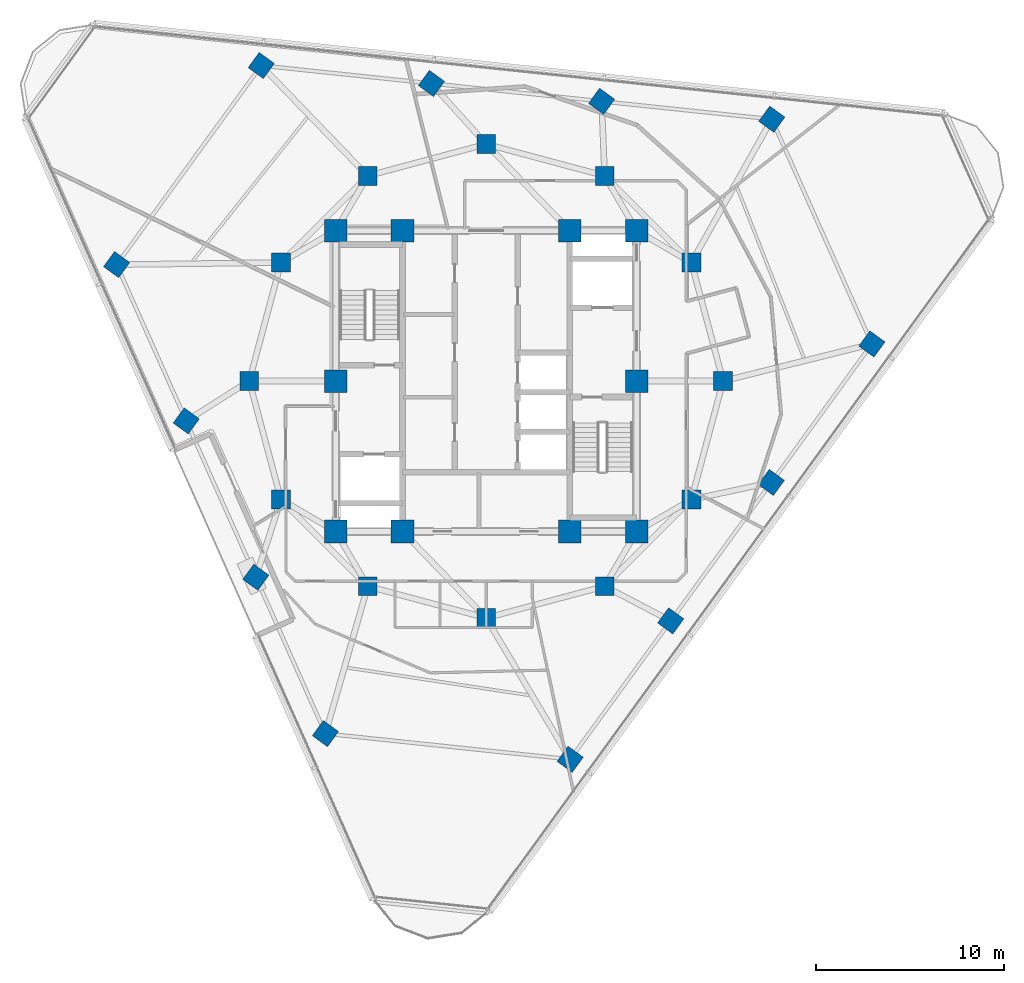
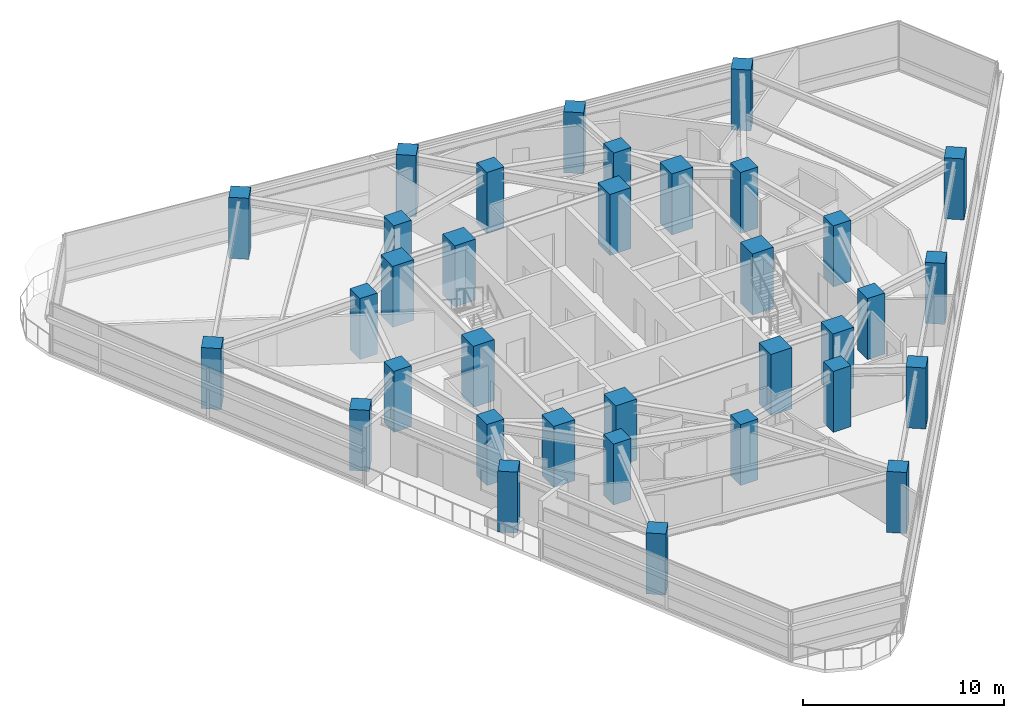
# One storey, part 1 of 14: 34 columns.
"""IFC4 building model written with IfcOpenShell, lengths in metres."""

from ifc_helpers import new_model, si_unit, direction, frame, origin, origin_2d, place, context, subcontext, project, spatial, rectangle, extrude, material, material_profile, profile_set, type_object, element, save


model = new_model("IFC4")

# Units and contexts
model_context = context("Model", 3, precision=1e-05, world=origin(), true_north=direction((0.0, 1.0)))
body_context = subcontext(model_context, "Body", "Model", "MODEL_VIEW")
ifc_project = project(units=[si_unit("LENGTHUNIT", "METRE"), si_unit("AREAUNIT", "SQUARE_METRE"), si_unit("VOLUMEUNIT", "CUBIC_METRE"), si_unit("PLANEANGLEUNIT", "RADIAN"), si_unit("MASSUNIT", "GRAM", prefix="KILO")], contexts=[model_context])

# Site, building, storey
site_placement = place(None, origin())
site = spatial("IfcSite", under=ifc_project, at=site_placement, CompositionType="ELEMENT")
building_placement = place(site_placement, origin())
building = spatial("IfcBuilding", under=site, at=building_placement, Name="Terralouvre Media Tower", CompositionType="ELEMENT")
storey_placement = place(building_placement, frame((0.0, 0.0, 226.300048828125)))
storey = spatial("IfcBuildingStorey", under=building, at=storey_placement, Name="L58", CompositionType="ELEMENT", Elevation=226.300048828125)

# Columns
ifc_material_1 = material(Name="Concrete C50/60", Category="concrete")
ifc_material_profile_1 = material_profile(ifc_material_1, rectangle(XDim=1.0, YDim=1.0, at=origin_2d()), Name="RC 1000x1000")
ifc_profile_set_1 = profile_set([ifc_material_profile_1], Name="Concrete C50/60")
column_type_1 = type_object("IfcColumnType", Name="Structural Column C-RC1000 (RC 1000x1000)", PredefinedType="COLUMN", material=ifc_profile_set_1)
for number, where, z_axis, x_axis, name in (
    (1, (12.60009765625, 0.0, 0.0), (0.0, 0.0, 1.0), (1.0, 0.0, 0.0), "L58 Mega-Frame Column MC01"),
    (2, (10.911865234375, 6.300048828125, 0.0), (0.0, 0.0, 1.0), (1.0, 0.0, 0.0), "L58 Mega-Frame Column MC02"),
    (3, (6.300048828125, 10.911865234375, 0.0), (0.0, 0.0, 1.0), (1.0, 0.0, 0.0), "L58 Mega-Frame Column MC03"),
    (4, (0.0, 12.60009765625, 0.0), (0.0, 0.0, 1.0), (1.0, 0.0, 0.0), "L58 Mega-Frame Column MC04"),
    (5, (-6.300048828125, 10.911865234375, 0.0), (0.0, 0.0, 1.0), (1.0, 0.0, 0.0), "L58 Mega-Frame Column MC05"),
    (6, (-10.911865234375, 6.300048828125, 0.0), (0.0, 0.0, 1.0), (1.0, 0.0, 0.0), "L58 Mega-Frame Column MC06"),
    (7, (-12.60009765625, 0.0, 0.0), (0.0, 0.0, 1.0), (1.0, 0.0, 0.0), "L58 Mega-Frame Column MC07"),
    (8, (-10.911865234375, -6.300048828125, 0.0), (0.0, 0.0, 1.0), (1.0, 0.0, 0.0), "L58 Mega-Frame Column MC08"),
    (9, (-6.300048828125, -10.911865234375, 0.0), (0.0, 0.0, 1.0), (1.0, 0.0, 0.0), "L58 Mega-Frame Column MC09"),
    (10, (0.0, -12.60009765625, 0.0), (0.0, 0.0, 1.0), (1.0, 0.0, 0.0), "L58 Mega-Frame Column MC10"),
    (11, (6.300048828125, -10.911865234375, 0.0), (0.0, 0.0, 1.0), (1.0, 0.0, 0.0), "L58 Mega-Frame Column MC11"),
    (12, (10.911865234375, -6.300048828125, 0.0), (0.0, 0.0, 1.0), (1.0, 0.0, 0.0), "L58 Mega-Frame Column MC12"),
    (13, (4.463623046875, -20.115478515625, 0.0), (0.0, 0.0, 1.0), (0.587785252292, 0.809016994375, 0.0), "L58 Perimeter Mega-Column PC11"),
    (14, (9.8125, -12.75341796875, 0.0), (0.0, 0.0, 1.0), (0.587785252292, 0.809016994375, 0.0), "L58 Perimeter Mega-Column PC12"),
    (15, (15.161376953125, -5.391357421875, 0.0), (0.0, 0.0, 1.0), (0.587785252292, 0.809016994375, 0.0), "L58 Perimeter Mega-Column PC13"),
    (16, (20.51025390625, 1.970703125, 0.0), (0.0, 0.0, 1.0), (0.587785252292, 0.809016994375, 0.0), "L58 Perimeter Mega-Column PC14"),
    (17, (15.1884765625, 13.92333984375, 0.0), (0.0, 0.0, 1.0), (0.587785252292, 0.809016994375, 0.0), "L58 Perimeter Mega-Column PC21"),
    (18, (6.138427734375, 14.87451171875, 0.0), (0.0, 0.0, 1.0), (0.587785252292, 0.809016994375, 0.0), "L58 Perimeter Mega-Column PC22"),
    (19, (-2.91162109375, 15.82568359375, 0.0), (0.0, 0.0, 1.0), (0.587785252292, 0.809016994375, 0.0), "L58 Perimeter Mega-Column PC23"),
    (20, (-11.9619140625, 16.77685546875, 0.0), (0.0, 0.0, 1.0), (0.587785252292, 0.809016994375, 0.0), "L58 Perimeter Mega-Column PC24"),
    (21, (-19.65234375, 6.192138671875, 0.0), (0.0, 0.0, 1.0), (0.587785252292, 0.809016994375, 0.0), "L58 Perimeter Mega-Column PC31"),
    (22, (-15.950927734375, -2.121337890625, 0.0), (0.0, 0.0, 1.0), (0.587785252292, 0.809016994375, 0.0), "L58 Perimeter Mega-Column PC32"),
    (23, (-12.249755859375, -10.4345703125, 0.0), (0.0, 0.0, 1.0), (0.587785252292, 0.809016994375, 0.0), "L58 Perimeter Mega-Column PC33"),
    (24, (-8.54833984375, -18.747802734375, 0.0), (0.0, 0.0, 1.0), (0.587785252292, 0.809016994375, 0.0), "L58 Perimeter Mega-Column PC34"),
):
    element("IfcColumn", number, at=place(storey_placement, frame(where, z_axis=z_axis, x_axis=x_axis)), inside=storey, type_object=column_type_1, Name=name, PredefinedType="COLUMN", context=body_context, shape_type="SweptSolid", body=[
        extrude(rectangle(XDim=1.0, YDim=1.0, at=origin_2d()), origin(), (0.0, 0.0, 1.0), 3.699951171875),
    ])
ifc_material_2 = material(Name="Concrete C60/75", Category="concrete")
ifc_material_profile_2 = material_profile(ifc_material_2, rectangle(XDim=1.199951171875, YDim=1.199951171875, at=origin_2d()), Name="RC 1200x1200")
ifc_profile_set_2 = profile_set([ifc_material_profile_2], Name="Concrete C60/75")
column_type_2 = type_object("IfcColumnType", Name="Structural Column C-RC1200 (RC 1200x1200)", PredefinedType="COLUMN", material=ifc_profile_set_2)
for number, where, z_axis, x_axis, name in (
    (25, (-8.0, -8.0, 0.0), (0.0, 0.0, 1.0), (1.0, 0.0, 0.0), "L58 Core Pilaster Column CP1"),
    (26, (-4.449951171875, -8.0, 0.0), (0.0, 0.0, 1.0), (1.0, 0.0, 0.0), "L58 Core Pilaster Column CP2"),
    (27, (4.449951171875, -8.0, 0.0), (0.0, 0.0, 1.0), (1.0, 0.0, 0.0), "L58 Core Pilaster Column CP10"),
    (28, (8.0, -8.0, 0.0), (0.0, 0.0, 1.0), (1.0, 0.0, 0.0), "L58 Core Pilaster Column CP3"),
    (29, (8.0, 0.0, 0.0), (0.0, 0.0, 1.0), (1.0, 0.0, 0.0), "L58 Core Pilaster Column CP4"),
    (30, (8.0, 8.0, 0.0), (0.0, 0.0, 1.0), (1.0, 0.0, 0.0), "L58 Core Pilaster Column CP5"),
    (31, (4.449951171875, 8.0, 0.0), (0.0, 0.0, 1.0), (1.0, 0.0, 0.0), "L58 Core Pilaster Column CP9"),
    (32, (-4.449951171875, 8.0, 0.0), (0.0, 0.0, 1.0), (1.0, 0.0, 0.0), "L58 Core Pilaster Column CP6"),
    (33, (-8.0, 8.0, 0.0), (0.0, 0.0, 1.0), (1.0, 0.0, 0.0), "L58 Core Pilaster Column CP7"),
    (34, (-8.0, 0.0, 0.0), (0.0, 0.0, 1.0), (1.0, 0.0, 0.0), "L58 Core Pilaster Column CP8"),
):
    element("IfcColumn", number, at=place(storey_placement, frame(where, z_axis=z_axis, x_axis=x_axis)), inside=storey, type_object=column_type_2, Name=name, PredefinedType="COLUMN", context=body_context, shape_type="SweptSolid", body=[
        extrude(rectangle(XDim=1.199951171875, YDim=1.199951171875, at=origin_2d()), origin(), (0.0, 0.0, 1.0), 3.699951171875),
    ])

save(model, "model.ifc")
